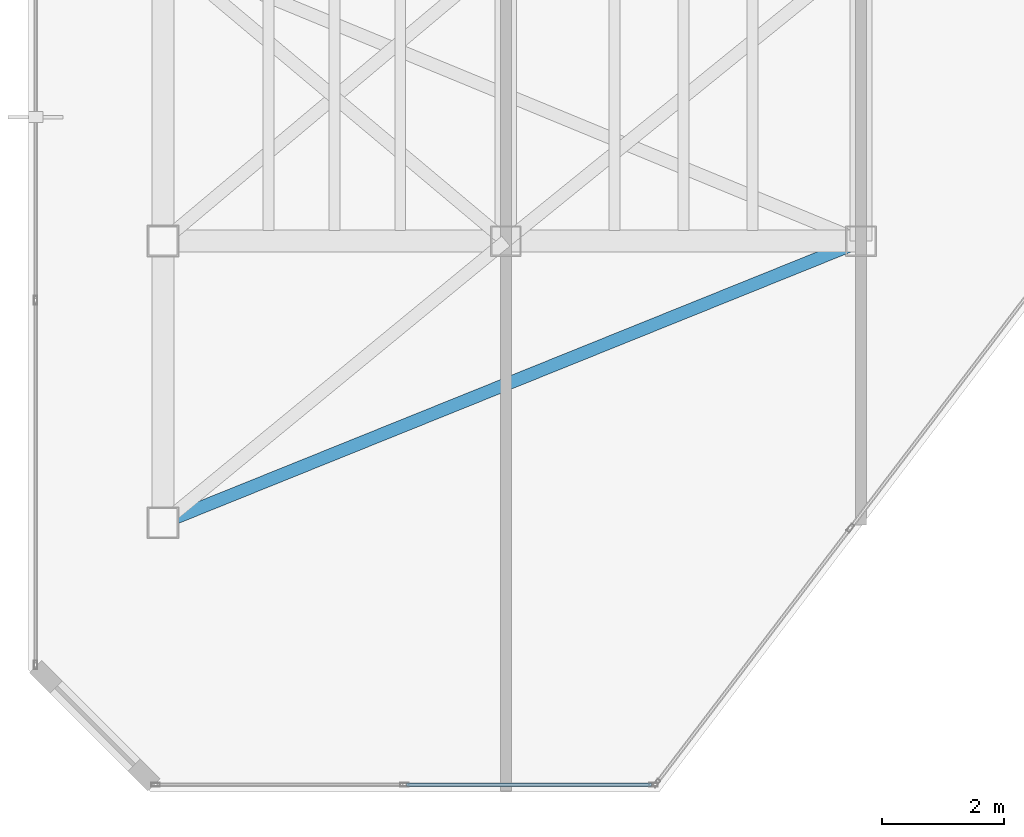
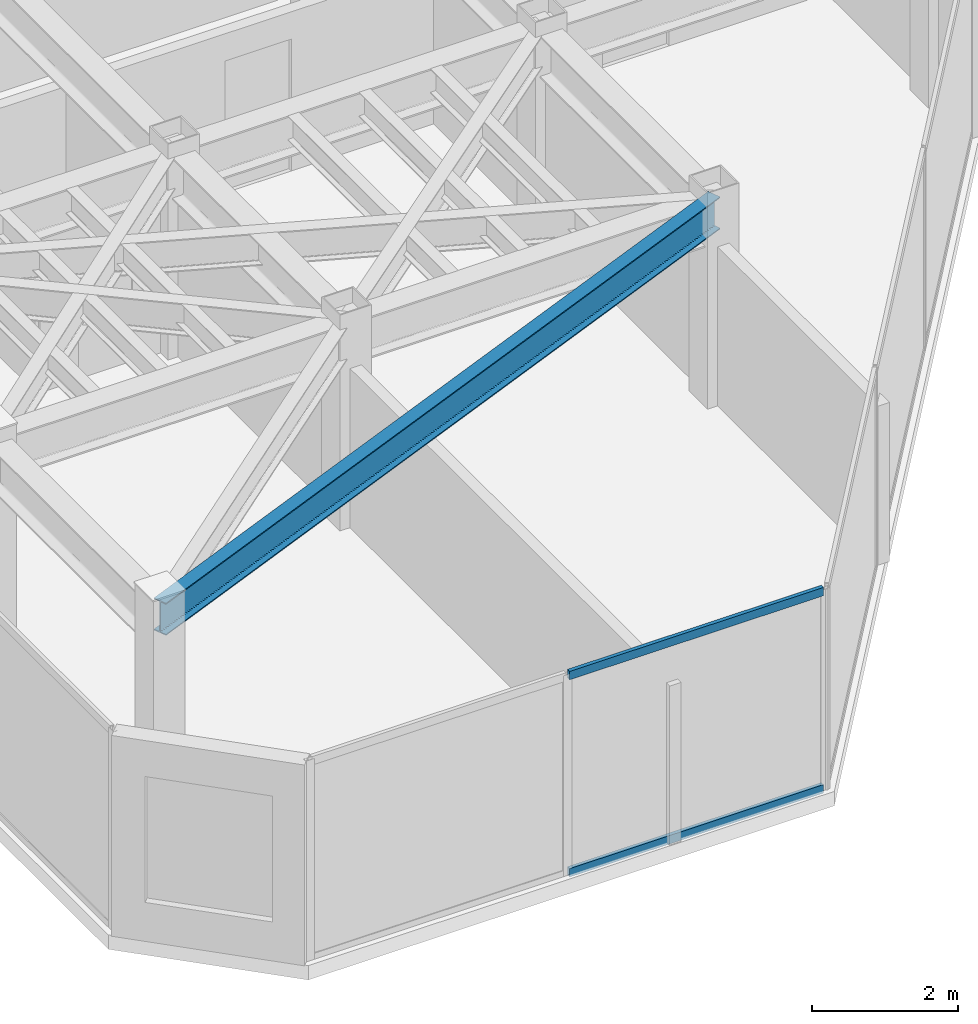
# One storey, part 3 of 19: 2 members, 1 beam, 1 element without a shape of its own.
"""IFC4 building model written with IfcOpenShell, lengths in metres."""

from ifc_helpers import new_model, si_unit, direction, frame, origin, origin_2d, place, context, subcontext, project, spatial, hollow_rectangle, i_section, extrude, material, layer, layer_set, material_profile, profile_set, type_object, element, aggregate, save


model = new_model("IFC4")

# Units and contexts
model_context = context("Model", 3, precision=1e-05, world=origin(), true_north=direction((0.0, 1.0)))
body_context = subcontext(model_context, "Body", "Model", "MODEL_VIEW")
ifc_project = project(units=[si_unit("LENGTHUNIT", "METRE"), si_unit("AREAUNIT", "SQUARE_METRE"), si_unit("VOLUMEUNIT", "CUBIC_METRE"), si_unit("PLANEANGLEUNIT", "RADIAN"), si_unit("MASSUNIT", "GRAM", prefix="KILO")], contexts=[model_context])

# Site, building, storey
site_placement = place(None, origin())
site = spatial("IfcSite", under=ifc_project, at=site_placement, CompositionType="ELEMENT")
building_placement = place(site_placement, origin())
building = spatial("IfcBuilding", under=site, at=building_placement, Name="Kravanh Interchange Tower", CompositionType="ELEMENT")
storey_placement = place(building_placement, frame((0.0, 0.0, 259.800048828125)))
storey = spatial("IfcBuildingStorey", under=building, at=storey_placement, Name="L63", CompositionType="ELEMENT", Elevation=259.800048828125)

# Curtain wall, members
ifc_material_1 = material(Name="Anodised Bronze Aluminium", Category="aluminium")
ifc_layer = layer(ifc_material_1, 0.179931640625)
ifc_layer_set = layer_set([ifc_layer], Name="Unitised Curtain Wall System CW-HTL Luxury Hotel")
curtain_wall_type = type_object("IfcCurtainWallType", Name="Unitised Curtain Wall System CW-HTL Luxury Hotel", PredefinedType="NOTDEFINED", material=ifc_layer_set)
curtain_wall_placement = place(storey_placement, origin())
curtain_wall = element("IfcCurtainWall", 1, at=curtain_wall_placement, inside=storey, type_object=curtain_wall_type, Name="L63 Unitised Curtain Wall CW-L63-06", PredefinedType="NOTDEFINED")
ifc_material_2 = material(Name="Anodised Bronze Aluminium", Category="aluminium")
ifc_material_profile_1 = material_profile(ifc_material_2, hollow_rectangle(XDim=0.06005859375, YDim=0.139892578125, WallThickness=0.00390625, at=origin_2d()), Name="ALU60X140X4")
ifc_profile_set_1 = profile_set([ifc_material_profile_1], Name="Anodised Bronze Aluminium")
member_type = type_object("IfcMemberType", Name="Curtain Wall Transom ALU60X140X4 Bronze", PredefinedType="USERDEFINED", material=ifc_profile_set_1)
member_1_placement = place(storey_placement, frame((35.180419921875, 17.919921875, 0.030029296875), z_axis=(-1.0, 0.0, 0.0), x_axis=(0.0, -1.0, 0.0)))
member_1 = element("IfcMember", 2, at=member_1_placement, type_object=member_type, Name="CW-HTL transom 1.1", ObjectType="TRANSOM", PredefinedType="USERDEFINED", context=body_context, shape_type="SweptSolid", body=[
    extrude(hollow_rectangle(XDim=0.06005859375, YDim=0.139892578125, WallThickness=0.00390625, at=origin_2d()), origin(), (0.0, 0.0, 1.0), 4.00537109375),
])
member_2_placement = place(storey_placement, frame((35.180419921875, 17.919921875, 3.320068359375), z_axis=(-1.0, 0.0, 0.0), x_axis=(0.0, -1.0, 0.0)))
member_2 = element("IfcMember", 3, at=member_2_placement, type_object=member_type, Name="CW-HTL transom 1.2", ObjectType="TRANSOM", PredefinedType="USERDEFINED", context=body_context, shape_type="SweptSolid", body=[
    extrude(hollow_rectangle(XDim=0.06005859375, YDim=0.139892578125, WallThickness=0.00390625, at=origin_2d()), origin(), (0.0, 0.0, 1.0), 4.00537109375),
])
aggregate(curtain_wall, [member_1, member_2])

# Beam
ifc_material_3 = material(Name="Structural Steel S355", Category="steel")
ifc_material_profile_2 = material_profile(ifc_material_3, i_section(OverallWidth=0.2099609375, OverallDepth=0.537109375, WebThickness=0.010986328125, FlangeThickness=0.017333984375, FilletRadius=0.02001953125, at=origin_2d()), Name="W21X68")
ifc_profile_set_2 = profile_set([ifc_material_profile_2], Name="Structural Steel S355")
beam_type = type_object("IfcBeamType", Name="Floor Spandrel W21X68 Structural Steel S355", PredefinedType="SPANDREL", material=ifc_profile_set_2)
beam_placement = place(storey_placement, frame((38.60009765625, 26.800048828125, 3.08154296875), z_axis=(-0.927349344428, -0.374196730864, 0.0), x_axis=(0.374196730864, -0.927349344428, 0.0)))
element("IfcBeam", 4, at=beam_placement, inside=storey, type_object=beam_type, Name="L63 Perimeter Spandrel 30", PredefinedType="SPANDREL", context=body_context, shape_type="SweptSolid", body=[
    extrude(i_section(OverallWidth=0.2099609375, OverallDepth=0.537109375, WebThickness=0.010986328125, FlangeThickness=0.017333984375, FilletRadius=0.02001953125, at=origin_2d()), origin(), (0.0, 0.0, 1.0), 12.293212890625),
])

save(model, "model.ifc")
